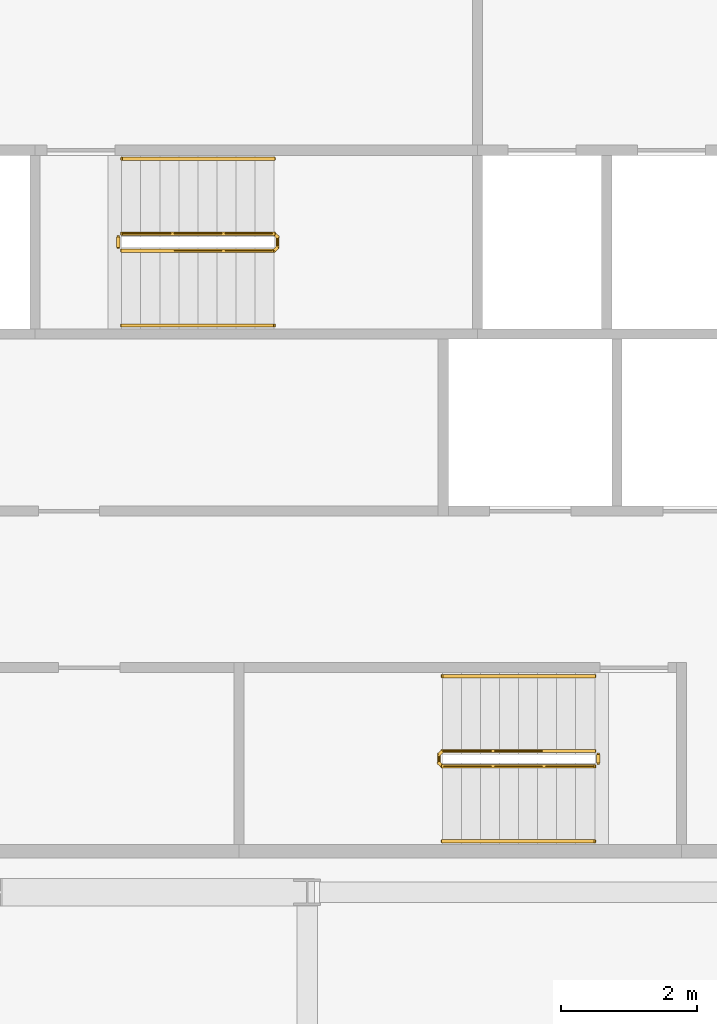
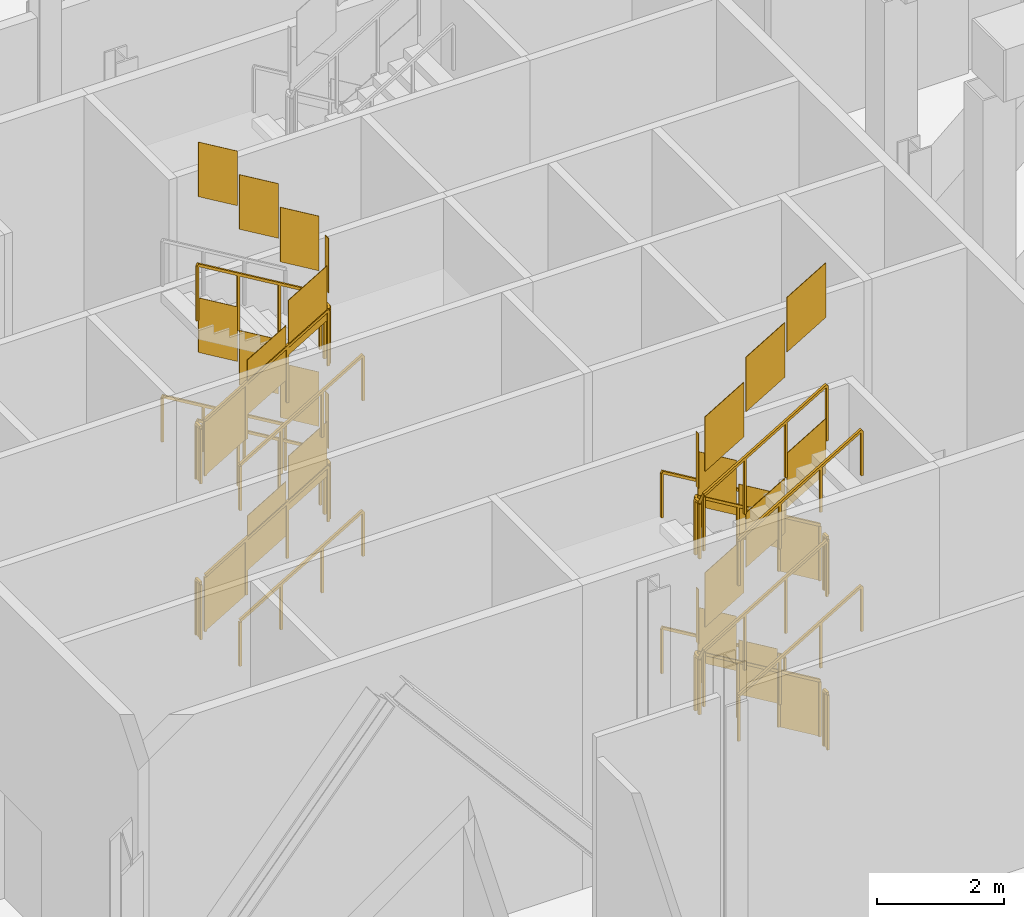
# One storey, part 17 of 18: 15 railings.
"""IFC4 building model written with IfcOpenShell, lengths in metres."""

from ifc_helpers import new_model, si_unit, direction, frame, origin, origin_2d, place, context, subcontext, project, spatial, polyline, rectangle, outline, extrude, material, type_object, element, save


model = new_model("IFC4")

# Units and contexts
model_context = context("Model", 3, precision=1e-05, world=origin(), true_north=direction((0.0, 1.0)))
body_context = subcontext(model_context, "Body", "Model", "MODEL_VIEW")
ifc_project = project(units=[si_unit("LENGTHUNIT", "METRE"), si_unit("AREAUNIT", "SQUARE_METRE"), si_unit("VOLUMEUNIT", "CUBIC_METRE"), si_unit("PLANEANGLEUNIT", "RADIAN"), si_unit("MASSUNIT", "GRAM", prefix="KILO")], contexts=[model_context])

# Site, building, storey
site_placement = place(None, origin())
site = spatial("IfcSite", under=ifc_project, at=site_placement, CompositionType="ELEMENT")
building_placement = place(site_placement, origin())
building = spatial("IfcBuilding", under=site, at=building_placement, Name="Cairn Pilgrim Tower", CompositionType="ELEMENT")
storey_placement = place(building_placement, frame((0.0, 0.0, 261.0)))
storey = spatial("IfcBuildingStorey", under=building, at=storey_placement, Name="L67", CompositionType="ELEMENT", Elevation=261.0)

# Railings
ifc_material = material(Name="Painted steel", Category="steel")
railing_type_1 = type_object("IfcRailingType", Name="STAIR GUARD 1100", PredefinedType="GUARDRAIL", material=ifc_material)
railing_1_placement = place(storey_placement, frame((11.425048828125, -3.925048828125, 0.166748046875)))
element("IfcRailing", 1, at=railing_1_placement, inside=storey, type_object=railing_type_1, Name="L67 ST-A stair guard 1", PredefinedType="GUARDRAIL", context=body_context, shape_type="SweptSolid", body=[
    extrude(rectangle(XDim=0.048095703125, YDim=0.048095703125, at=origin_2d()), frame((0.0, 0.0, 1.076171875), z_axis=(-0.859305625298, 0.0, 0.511462454469), x_axis=(0.0, -1.0, 0.0)), (0.0, 0.0, 1.0), 2.606689453125),
    extrude(rectangle(XDim=0.048095703125, YDim=0.048095703125, at=origin_2d()), frame((-2.239990234375, 0.0, 2.4091796875), z_axis=(-0.707106781187, -0.707106781187, 0.0), x_axis=(0.707106781187, -0.707106781187, 0.0)), (0.0, 0.0, 1.0), 0.07080078125),
    extrude(rectangle(XDim=0.048095703125, YDim=0.048095703125, at=origin_2d()), frame((-2.2900390625, -0.050048828125, 2.4091796875), z_axis=(0.0, -1.0, 0.0), x_axis=(1.0, 0.0, 0.0)), (0.0, 0.0, 1.0), 0.125),
    extrude(rectangle(XDim=0.048095703125, YDim=0.048095703125, at=origin_2d()), frame((-2.2900390625, -0.175048828125, 2.4091796875), z_axis=(0.276389281352, -0.275041040955, 0.920848191041), x_axis=(0.705375805398, 0.708833529934, 0.0)), (0.0, 0.0, 1.0), 0.18115234375),
    extrude(rectangle(XDim=0.048095703125, YDim=0.048095703125, at=origin_2d()), frame((-2.239990234375, -0.224853515625, 2.576171875), z_axis=(0.859305625298, 0.0, 0.511462454469), x_axis=(0.0, 1.0, 0.0)), (0.0, 0.0, 1.0), 2.606689453125),
    extrude(rectangle(XDim=0.0419921875, YDim=0.0419921875, at=origin_2d()), origin(), (0.0, 0.0, 1.0), 1.052001953125),
    extrude(rectangle(XDim=0.0419921875, YDim=0.0419921875, at=origin_2d()), frame((-0.74658203125, 0.0, 0.4443359375)), (0.0, 0.0, 1.0), 1.052001953125),
    extrude(rectangle(XDim=0.0419921875, YDim=0.0419921875, at=origin_2d()), frame((-1.493408203125, 0.0, 0.888916015625)), (0.0, 0.0, 1.0), 1.052001953125),
    extrude(rectangle(XDim=0.0419921875, YDim=0.0419921875, at=origin_2d()), frame((-2.239990234375, 0.0, 1.333251953125)), (0.0, 0.0, 1.0), 1.052001953125),
    extrude(rectangle(XDim=0.0419921875, YDim=0.0419921875, at=origin_2d()), frame((-2.2900390625, -0.050048828125, 1.333251953125)), (0.0, 0.0, 1.0), 1.052001953125),
    extrude(rectangle(XDim=0.0419921875, YDim=0.0419921875, at=origin_2d()), frame((-2.2900390625, -0.175048828125, 1.333251953125)), (0.0, 0.0, 1.0), 1.052001953125),
    extrude(rectangle(XDim=0.0419921875, YDim=0.0419921875, at=origin_2d()), frame((-2.239990234375, -0.224853515625, 1.5)), (0.0, 0.0, 1.0), 1.052001953125),
    extrude(rectangle(XDim=0.0419921875, YDim=0.0419921875, at=origin_2d()), frame((-1.493408203125, -0.224853515625, 1.9443359375)), (0.0, 0.0, 1.0), 1.052001953125),
    extrude(rectangle(XDim=0.0419921875, YDim=0.0419921875, at=origin_2d()), frame((-0.74658203125, -0.224853515625, 2.388916015625)), (0.0, 0.0, 1.0), 1.052001953125),
    extrude(rectangle(XDim=0.0419921875, YDim=0.0419921875, at=origin_2d()), frame((0.0, -0.224853515625, 2.833251953125)), (0.0, 0.0, 1.0), 1.052001953125),
    extrude(outline(polyline([(0.02099609375, 0.012451171875), (0.7255859375, 0.431884765625), (0.7255859375, 1.48388671875), (0.02099609375, 1.064453125), (0.02099609375, 0.012451171875)])), frame((0.0, -0.005859375, 0.0), z_axis=(0.0, 1.0, 0.0), x_axis=(-1.0, 0.0, 0.0)), (0.0, 0.0, 1.0), 0.011962890625),
    extrude(outline(polyline([(0.02099609375, 0.45703125), (0.7255859375, 0.876220703125), (0.7255859375, 1.92822265625), (0.02099609375, 1.509033203125), (0.02099609375, 0.45703125)])), frame((-0.74658203125, -0.005859375, 0.4443359375), z_axis=(0.0, 1.0, 0.0), x_axis=(-1.0, 0.0, 0.0)), (0.0, 0.0, 1.0), 0.011962890625),
    extrude(outline(polyline([(0.02099609375, 0.9013671875), (0.7255859375, 1.32080078125), (0.7255859375, 2.372802734375), (0.02099609375, 1.953369140625), (0.02099609375, 0.9013671875)])), frame((-1.493408203125, -0.005859375, 0.888916015625), z_axis=(0.0, 1.0, 0.0), x_axis=(-1.0, 0.0, 0.0)), (0.0, 0.0, 1.0), 0.011962890625),
    extrude(outline(polyline([(0.02099609375, 1.333251953125), (0.10400390625, 1.333251953125), (0.10400390625, 2.38525390625), (0.02099609375, 2.38525390625), (0.02099609375, 1.333251953125)])), frame((-2.2841796875, -0.050048828125, 1.333251953125), z_axis=(-1.0, 0.0, 0.0), x_axis=(0.0, -1.0, 0.0)), (0.0, 0.0, 1.0), 0.011962890625),
    extrude(outline(polyline([(0.02099609375, 1.512451171875), (0.7255859375, 1.931884765625), (0.7255859375, 2.98388671875), (0.02099609375, 2.564453125), (0.02099609375, 1.512451171875)])), frame((-2.239990234375, -0.21875, 1.5), z_axis=(0.0, -1.0, 0.0), x_axis=(1.0, 0.0, 0.0)), (0.0, 0.0, 1.0), 0.011962890625),
    extrude(outline(polyline([(0.02099609375, 1.95703125), (0.7255859375, 2.376220703125), (0.7255859375, 3.42822265625), (0.02099609375, 3.009033203125), (0.02099609375, 1.95703125)])), frame((-1.493408203125, -0.21875, 1.9443359375), z_axis=(0.0, -1.0, 0.0), x_axis=(1.0, 0.0, 0.0)), (0.0, 0.0, 1.0), 0.011962890625),
    extrude(outline(polyline([(0.02099609375, 2.4013671875), (0.7255859375, 2.82080078125), (0.7255859375, 3.872802734375), (0.02099609375, 3.453369140625), (0.02099609375, 2.4013671875)])), frame((-0.74658203125, -0.21875, 2.388916015625), z_axis=(0.0, -1.0, 0.0), x_axis=(1.0, 0.0, 0.0)), (0.0, 0.0, 1.0), 0.011962890625),
])
railing_2_placement = place(storey_placement, frame((11.47509765625, -3.97509765625, 3.0)))
element("IfcRailing", 2, at=railing_2_placement, inside=storey, type_object=railing_type_1, Name="L67 ST-A stair guard 2", PredefinedType="GUARDRAIL", context=body_context, shape_type="SweptSolid", body=[
    extrude(rectangle(XDim=0.048095703125, YDim=0.048095703125, at=origin_2d()), frame((0.0, 0.0, 1.076171875), z_axis=(0.0, -1.0, 0.0), x_axis=(1.0, 0.0, 0.0)), (0.0, 0.0, 1.0), 0.125),
    extrude(rectangle(XDim=0.0419921875, YDim=0.0419921875, at=origin_2d()), origin(), (0.0, 0.0, 1.0), 1.052001953125),
    extrude(rectangle(XDim=0.0419921875, YDim=0.0419921875, at=origin_2d()), frame((0.0, -0.125, 0.0)), (0.0, 0.0, 1.0), 1.052001953125),
    extrude(outline(polyline([(0.02099609375, 0.0), (0.10400390625, 0.0), (0.10400390625, 1.052001953125), (0.02099609375, 1.052001953125), (0.02099609375, 0.0)])), frame((0.005859375, 0.0, 0.0), z_axis=(-1.0, 0.0, 0.0), x_axis=(0.0, -1.0, 0.0)), (0.0, 0.0, 1.0), 0.011962890625),
])
railing_3_placement = place(storey_placement, frame((11.425048828125, -3.925048828125, 3.166748046875)))
element("IfcRailing", 3, at=railing_3_placement, inside=storey, type_object=railing_type_1, Name="L67 ST-A stair guard 3", PredefinedType="GUARDRAIL", context=body_context, shape_type="SweptSolid", body=[
    extrude(rectangle(XDim=0.048095703125, YDim=0.048095703125, at=origin_2d()), frame((0.0, 0.0, 1.076171875), z_axis=(-0.859305625298, 0.0, 0.511462454469), x_axis=(0.0, -1.0, 0.0)), (0.0, 0.0, 1.0), 2.606689453125),
    extrude(rectangle(XDim=0.048095703125, YDim=0.048095703125, at=origin_2d()), frame((-2.239990234375, 0.0, 2.4091796875), z_axis=(-0.707106781187, -0.707106781187, 0.0), x_axis=(0.707106781187, -0.707106781187, 0.0)), (0.0, 0.0, 1.0), 0.07080078125),
    extrude(rectangle(XDim=0.048095703125, YDim=0.048095703125, at=origin_2d()), frame((-2.2900390625, -0.050048828125, 2.4091796875), z_axis=(0.0, -1.0, 0.0), x_axis=(1.0, 0.0, 0.0)), (0.0, 0.0, 1.0), 0.125),
    extrude(rectangle(XDim=0.048095703125, YDim=0.048095703125, at=origin_2d()), frame((-2.2900390625, -0.175048828125, 2.4091796875), z_axis=(0.276389281352, -0.275041040955, 0.920848191041), x_axis=(0.705375805398, 0.708833529934, 0.0)), (0.0, 0.0, 1.0), 0.18115234375),
    extrude(rectangle(XDim=0.048095703125, YDim=0.048095703125, at=origin_2d()), frame((-2.239990234375, -0.224853515625, 2.576171875), z_axis=(0.859305625298, 0.0, 0.511462454469), x_axis=(0.0, 1.0, 0.0)), (0.0, 0.0, 1.0), 2.606689453125),
    extrude(rectangle(XDim=0.0419921875, YDim=0.0419921875, at=origin_2d()), origin(), (0.0, 0.0, 1.0), 1.052001953125),
    extrude(rectangle(XDim=0.0419921875, YDim=0.0419921875, at=origin_2d()), frame((-0.74658203125, 0.0, 0.4443359375)), (0.0, 0.0, 1.0), 1.052001953125),
    extrude(rectangle(XDim=0.0419921875, YDim=0.0419921875, at=origin_2d()), frame((-1.493408203125, 0.0, 0.888916015625)), (0.0, 0.0, 1.0), 1.052001953125),
    extrude(rectangle(XDim=0.0419921875, YDim=0.0419921875, at=origin_2d()), frame((-2.239990234375, 0.0, 1.333251953125)), (0.0, 0.0, 1.0), 1.052001953125),
    extrude(rectangle(XDim=0.0419921875, YDim=0.0419921875, at=origin_2d()), frame((-2.2900390625, -0.050048828125, 1.333251953125)), (0.0, 0.0, 1.0), 1.052001953125),
    extrude(rectangle(XDim=0.0419921875, YDim=0.0419921875, at=origin_2d()), frame((-2.2900390625, -0.175048828125, 1.333251953125)), (0.0, 0.0, 1.0), 1.052001953125),
    extrude(rectangle(XDim=0.0419921875, YDim=0.0419921875, at=origin_2d()), frame((-2.239990234375, -0.224853515625, 1.5)), (0.0, 0.0, 1.0), 1.052001953125),
    extrude(rectangle(XDim=0.0419921875, YDim=0.0419921875, at=origin_2d()), frame((-1.493408203125, -0.224853515625, 1.9443359375)), (0.0, 0.0, 1.0), 1.052001953125),
    extrude(rectangle(XDim=0.0419921875, YDim=0.0419921875, at=origin_2d()), frame((-0.74658203125, -0.224853515625, 2.388916015625)), (0.0, 0.0, 1.0), 1.052001953125),
    extrude(rectangle(XDim=0.0419921875, YDim=0.0419921875, at=origin_2d()), frame((0.0, -0.224853515625, 2.833251953125)), (0.0, 0.0, 1.0), 1.052001953125),
    extrude(outline(polyline([(0.02099609375, 0.012451171875), (0.7255859375, 0.431884765625), (0.7255859375, 1.48388671875), (0.02099609375, 1.064453125), (0.02099609375, 0.012451171875)])), frame((0.0, -0.005859375, 0.0), z_axis=(0.0, 1.0, 0.0), x_axis=(-1.0, 0.0, 0.0)), (0.0, 0.0, 1.0), 0.011962890625),
    extrude(outline(polyline([(0.02099609375, 0.45703125), (0.7255859375, 0.876220703125), (0.7255859375, 1.92822265625), (0.02099609375, 1.509033203125), (0.02099609375, 0.45703125)])), frame((-0.74658203125, -0.005859375, 0.4443359375), z_axis=(0.0, 1.0, 0.0), x_axis=(-1.0, 0.0, 0.0)), (0.0, 0.0, 1.0), 0.011962890625),
    extrude(outline(polyline([(0.02099609375, 0.9013671875), (0.7255859375, 1.32080078125), (0.7255859375, 2.372802734375), (0.02099609375, 1.953369140625), (0.02099609375, 0.9013671875)])), frame((-1.493408203125, -0.005859375, 0.888916015625), z_axis=(0.0, 1.0, 0.0), x_axis=(-1.0, 0.0, 0.0)), (0.0, 0.0, 1.0), 0.011962890625),
    extrude(outline(polyline([(0.02099609375, 1.333251953125), (0.10400390625, 1.333251953125), (0.10400390625, 2.38525390625), (0.02099609375, 2.38525390625), (0.02099609375, 1.333251953125)])), frame((-2.2841796875, -0.050048828125, 1.333251953125), z_axis=(-1.0, 0.0, 0.0), x_axis=(0.0, -1.0, 0.0)), (0.0, 0.0, 1.0), 0.011962890625),
    extrude(outline(polyline([(0.02099609375, 1.512451171875), (0.7255859375, 1.931884765625), (0.7255859375, 2.98388671875), (0.02099609375, 2.564453125), (0.02099609375, 1.512451171875)])), frame((-2.239990234375, -0.21875, 1.5), z_axis=(0.0, -1.0, 0.0), x_axis=(1.0, 0.0, 0.0)), (0.0, 0.0, 1.0), 0.011962890625),
    extrude(outline(polyline([(0.02099609375, 1.95703125), (0.7255859375, 2.376220703125), (0.7255859375, 3.42822265625), (0.02099609375, 3.009033203125), (0.02099609375, 1.95703125)])), frame((-1.493408203125, -0.21875, 1.9443359375), z_axis=(0.0, -1.0, 0.0), x_axis=(1.0, 0.0, 0.0)), (0.0, 0.0, 1.0), 0.011962890625),
    extrude(outline(polyline([(0.02099609375, 2.4013671875), (0.7255859375, 2.82080078125), (0.7255859375, 3.872802734375), (0.02099609375, 3.453369140625), (0.02099609375, 2.4013671875)])), frame((-0.74658203125, -0.21875, 2.388916015625), z_axis=(0.0, -1.0, 0.0), x_axis=(1.0, 0.0, 0.0)), (0.0, 0.0, 1.0), 0.011962890625),
])
railing_4_placement = place(storey_placement, frame((11.47509765625, -3.97509765625, 0.0)))
element("IfcRailing", 4, at=railing_4_placement, inside=storey, type_object=railing_type_1, Name="L67 ST-A stair guard 4", PredefinedType="GUARDRAIL", context=body_context, shape_type="SweptSolid", body=[
    extrude(rectangle(XDim=0.048095703125, YDim=0.048095703125, at=origin_2d()), frame((0.0, 0.0, 1.076171875), z_axis=(0.0, -1.0, 0.0), x_axis=(1.0, 0.0, 0.0)), (0.0, 0.0, 1.0), 0.125),
    extrude(rectangle(XDim=0.0419921875, YDim=0.0419921875, at=origin_2d()), origin(), (0.0, 0.0, 1.0), 1.052001953125),
    extrude(rectangle(XDim=0.0419921875, YDim=0.0419921875, at=origin_2d()), frame((0.0, -0.125, 0.0)), (0.0, 0.0, 1.0), 1.052001953125),
    extrude(outline(polyline([(0.02099609375, 0.0), (0.10400390625, 0.0), (0.10400390625, 1.052001953125), (0.02099609375, 1.052001953125), (0.02099609375, 0.0)])), frame((0.005859375, 0.0, 0.0), z_axis=(-1.0, 0.0, 0.0), x_axis=(0.0, -1.0, 0.0)), (0.0, 0.0, 1.0), 0.011962890625),
])
railing_5_placement = place(storey_placement, frame((4.47509765625, 3.425048828125, 0.166748046875)))
element("IfcRailing", 5, at=railing_5_placement, inside=storey, type_object=railing_type_1, Name="L67 ST-B stair guard 1", PredefinedType="GUARDRAIL", context=body_context, shape_type="SweptSolid", body=[
    extrude(rectangle(XDim=0.048095703125, YDim=0.048095703125, at=origin_2d()), frame((0.0, 0.0, 1.076171875), z_axis=(0.859305625298, 0.0, 0.511462454469), x_axis=(0.0, 1.0, 0.0)), (0.0, 0.0, 1.0), 2.606689453125),
    extrude(rectangle(XDim=0.048095703125, YDim=0.048095703125, at=origin_2d()), frame((2.239990234375, 0.0, 2.4091796875), z_axis=(0.705375805398, 0.708833529934, 0.0), x_axis=(-0.708833529934, 0.705375805398, 0.0)), (0.0, 0.0, 1.0), 0.070556640625),
    extrude(rectangle(XDim=0.048095703125, YDim=0.048095703125, at=origin_2d()), frame((2.289794921875, 0.050048828125, 2.4091796875), z_axis=(0.0, 1.0, 0.0), x_axis=(-1.0, 0.0, 0.0)), (0.0, 0.0, 1.0), 0.14990234375),
    extrude(rectangle(XDim=0.048095703125, YDim=0.048095703125, at=origin_2d()), frame((2.289794921875, 0.199951171875, 2.4091796875), z_axis=(-0.275041040955, 0.276389281352, 0.920848191041), x_axis=(-0.708833529934, -0.705375805398, 0.0)), (0.0, 0.0, 1.0), 0.18115234375),
    extrude(rectangle(XDim=0.048095703125, YDim=0.048095703125, at=origin_2d()), frame((2.239990234375, 0.25, 2.576171875), z_axis=(-0.859305625298, 0.0, 0.511462454469), x_axis=(0.0, -1.0, 0.0)), (0.0, 0.0, 1.0), 2.606689453125),
    extrude(rectangle(XDim=0.0419921875, YDim=0.0419921875, at=origin_2d()), origin(), (0.0, 0.0, 1.0), 1.052001953125),
    extrude(rectangle(XDim=0.0419921875, YDim=0.0419921875, at=origin_2d()), frame((0.74658203125, 0.0, 0.4443359375)), (0.0, 0.0, 1.0), 1.052001953125),
    extrude(rectangle(XDim=0.0419921875, YDim=0.0419921875, at=origin_2d()), frame((1.493408203125, 0.0, 0.888916015625)), (0.0, 0.0, 1.0), 1.052001953125),
    extrude(rectangle(XDim=0.0419921875, YDim=0.0419921875, at=origin_2d()), frame((2.239990234375, 0.0, 1.333251953125)), (0.0, 0.0, 1.0), 1.052001953125),
    extrude(rectangle(XDim=0.0419921875, YDim=0.0419921875, at=origin_2d()), frame((2.289794921875, 0.050048828125, 1.333251953125)), (0.0, 0.0, 1.0), 1.052001953125),
    extrude(rectangle(XDim=0.0419921875, YDim=0.0419921875, at=origin_2d()), frame((2.289794921875, 0.199951171875, 1.333251953125)), (0.0, 0.0, 1.0), 1.052001953125),
    extrude(rectangle(XDim=0.0419921875, YDim=0.0419921875, at=origin_2d()), frame((2.239990234375, 0.25, 1.5)), (0.0, 0.0, 1.0), 1.052001953125),
    extrude(rectangle(XDim=0.0419921875, YDim=0.0419921875, at=origin_2d()), frame((1.493408203125, 0.25, 1.9443359375)), (0.0, 0.0, 1.0), 1.052001953125),
    extrude(rectangle(XDim=0.0419921875, YDim=0.0419921875, at=origin_2d()), frame((0.74658203125, 0.25, 2.388916015625)), (0.0, 0.0, 1.0), 1.052001953125),
    extrude(rectangle(XDim=0.0419921875, YDim=0.0419921875, at=origin_2d()), frame((0.0, 0.25, 2.833251953125)), (0.0, 0.0, 1.0), 1.052001953125),
    extrude(outline(polyline([(0.02099609375, 0.012451171875), (0.7255859375, 0.431884765625), (0.7255859375, 1.48388671875), (0.02099609375, 1.064453125), (0.02099609375, 0.012451171875)])), frame((0.0, 0.005859375, 0.0), z_axis=(0.0, -1.0, 0.0), x_axis=(1.0, 0.0, 0.0)), (0.0, 0.0, 1.0), 0.011962890625),
    extrude(outline(polyline([(0.02099609375, 0.45703125), (0.7255859375, 0.876220703125), (0.7255859375, 1.92822265625), (0.02099609375, 1.509033203125), (0.02099609375, 0.45703125)])), frame((0.74658203125, 0.005859375, 0.4443359375), z_axis=(0.0, -1.0, 0.0), x_axis=(1.0, 0.0, 0.0)), (0.0, 0.0, 1.0), 0.011962890625),
    extrude(outline(polyline([(0.02099609375, 0.9013671875), (0.7255859375, 1.32080078125), (0.7255859375, 2.372802734375), (0.02099609375, 1.953369140625), (0.02099609375, 0.9013671875)])), frame((1.493408203125, 0.005859375, 0.888916015625), z_axis=(0.0, -1.0, 0.0), x_axis=(1.0, 0.0, 0.0)), (0.0, 0.0, 1.0), 0.011962890625),
    extrude(outline(polyline([(0.02099609375, 1.333251953125), (0.12890625, 1.333251953125), (0.12890625, 2.38525390625), (0.02099609375, 2.38525390625), (0.02099609375, 1.333251953125)])), frame((2.28369140625, 0.050048828125, 1.333251953125), z_axis=(1.0, 0.0, 0.0), x_axis=(0.0, 1.0, 0.0)), (0.0, 0.0, 1.0), 0.011962890625),
    extrude(outline(polyline([(0.02099609375, 1.512451171875), (0.7255859375, 1.931884765625), (0.7255859375, 2.98388671875), (0.02099609375, 2.564453125), (0.02099609375, 1.512451171875)])), frame((2.239990234375, 0.244140625, 1.5), z_axis=(0.0, 1.0, 0.0), x_axis=(-1.0, 0.0, 0.0)), (0.0, 0.0, 1.0), 0.011962890625),
    extrude(outline(polyline([(0.02099609375, 1.95703125), (0.7255859375, 2.376220703125), (0.7255859375, 3.42822265625), (0.02099609375, 3.009033203125), (0.02099609375, 1.95703125)])), frame((1.493408203125, 0.244140625, 1.9443359375), z_axis=(0.0, 1.0, 0.0), x_axis=(-1.0, 0.0, 0.0)), (0.0, 0.0, 1.0), 0.011962890625),
    extrude(outline(polyline([(0.02099609375, 2.4013671875), (0.7255859375, 2.82080078125), (0.7255859375, 3.872802734375), (0.02099609375, 3.453369140625), (0.02099609375, 2.4013671875)])), frame((0.74658203125, 0.244140625, 2.388916015625), z_axis=(0.0, 1.0, 0.0), x_axis=(-1.0, 0.0, 0.0)), (0.0, 0.0, 1.0), 0.011962890625),
])
railing_6_placement = place(storey_placement, frame((4.425048828125, 3.47509765625, 3.0)))
element("IfcRailing", 6, at=railing_6_placement, inside=storey, type_object=railing_type_1, Name="L67 ST-B stair guard 2", PredefinedType="GUARDRAIL", context=body_context, shape_type="SweptSolid", body=[
    extrude(rectangle(XDim=0.048095703125, YDim=0.048095703125, at=origin_2d()), frame((0.0, 0.0, 1.076171875), z_axis=(0.0, 1.0, 0.0), x_axis=(-1.0, 0.0, 0.0)), (0.0, 0.0, 1.0), 0.14990234375),
    extrude(rectangle(XDim=0.0419921875, YDim=0.0419921875, at=origin_2d()), origin(), (0.0, 0.0, 1.0), 1.052001953125),
    extrude(rectangle(XDim=0.0419921875, YDim=0.0419921875, at=origin_2d()), frame((0.0, 0.14990234375, 0.0)), (0.0, 0.0, 1.0), 1.052001953125),
    extrude(outline(polyline([(0.02099609375, 0.0), (0.12890625, 0.0), (0.12890625, 1.052001953125), (0.02099609375, 1.052001953125), (0.02099609375, 0.0)])), frame((-0.005859375, 0.0, 0.0), z_axis=(1.0, 0.0, 0.0), x_axis=(0.0, 1.0, 0.0)), (0.0, 0.0, 1.0), 0.011962890625),
])
railing_7_placement = place(storey_placement, frame((4.47509765625, 3.425048828125, 3.166748046875)))
element("IfcRailing", 7, at=railing_7_placement, inside=storey, type_object=railing_type_1, Name="L67 ST-B stair guard 3", PredefinedType="GUARDRAIL", context=body_context, shape_type="SweptSolid", body=[
    extrude(rectangle(XDim=0.048095703125, YDim=0.048095703125, at=origin_2d()), frame((0.0, 0.0, 1.076171875), z_axis=(0.859305625298, 0.0, 0.511462454469), x_axis=(0.0, 1.0, 0.0)), (0.0, 0.0, 1.0), 2.606689453125),
    extrude(rectangle(XDim=0.048095703125, YDim=0.048095703125, at=origin_2d()), frame((2.239990234375, 0.0, 2.4091796875), z_axis=(0.705375805398, 0.708833529934, 0.0), x_axis=(-0.708833529934, 0.705375805398, 0.0)), (0.0, 0.0, 1.0), 0.070556640625),
    extrude(rectangle(XDim=0.048095703125, YDim=0.048095703125, at=origin_2d()), frame((2.289794921875, 0.050048828125, 2.4091796875), z_axis=(0.0, 1.0, 0.0), x_axis=(-1.0, 0.0, 0.0)), (0.0, 0.0, 1.0), 0.14990234375),
    extrude(rectangle(XDim=0.048095703125, YDim=0.048095703125, at=origin_2d()), frame((2.289794921875, 0.199951171875, 2.4091796875), z_axis=(-0.275041040955, 0.276389281352, 0.920848191041), x_axis=(-0.708833529934, -0.705375805398, 0.0)), (0.0, 0.0, 1.0), 0.18115234375),
    extrude(rectangle(XDim=0.048095703125, YDim=0.048095703125, at=origin_2d()), frame((2.239990234375, 0.25, 2.576171875), z_axis=(-0.859305625298, 0.0, 0.511462454469), x_axis=(0.0, -1.0, 0.0)), (0.0, 0.0, 1.0), 2.606689453125),
    extrude(rectangle(XDim=0.0419921875, YDim=0.0419921875, at=origin_2d()), origin(), (0.0, 0.0, 1.0), 1.052001953125),
    extrude(rectangle(XDim=0.0419921875, YDim=0.0419921875, at=origin_2d()), frame((0.74658203125, 0.0, 0.4443359375)), (0.0, 0.0, 1.0), 1.052001953125),
    extrude(rectangle(XDim=0.0419921875, YDim=0.0419921875, at=origin_2d()), frame((1.493408203125, 0.0, 0.888916015625)), (0.0, 0.0, 1.0), 1.052001953125),
    extrude(rectangle(XDim=0.0419921875, YDim=0.0419921875, at=origin_2d()), frame((2.239990234375, 0.0, 1.333251953125)), (0.0, 0.0, 1.0), 1.052001953125),
    extrude(rectangle(XDim=0.0419921875, YDim=0.0419921875, at=origin_2d()), frame((2.289794921875, 0.050048828125, 1.333251953125)), (0.0, 0.0, 1.0), 1.052001953125),
    extrude(rectangle(XDim=0.0419921875, YDim=0.0419921875, at=origin_2d()), frame((2.289794921875, 0.199951171875, 1.333251953125)), (0.0, 0.0, 1.0), 1.052001953125),
    extrude(rectangle(XDim=0.0419921875, YDim=0.0419921875, at=origin_2d()), frame((2.239990234375, 0.25, 1.5)), (0.0, 0.0, 1.0), 1.052001953125),
    extrude(rectangle(XDim=0.0419921875, YDim=0.0419921875, at=origin_2d()), frame((1.493408203125, 0.25, 1.9443359375)), (0.0, 0.0, 1.0), 1.052001953125),
    extrude(rectangle(XDim=0.0419921875, YDim=0.0419921875, at=origin_2d()), frame((0.74658203125, 0.25, 2.388916015625)), (0.0, 0.0, 1.0), 1.052001953125),
    extrude(rectangle(XDim=0.0419921875, YDim=0.0419921875, at=origin_2d()), frame((0.0, 0.25, 2.833251953125)), (0.0, 0.0, 1.0), 1.052001953125),
    extrude(outline(polyline([(0.02099609375, 0.012451171875), (0.7255859375, 0.431884765625), (0.7255859375, 1.48388671875), (0.02099609375, 1.064453125), (0.02099609375, 0.012451171875)])), frame((0.0, 0.005859375, 0.0), z_axis=(0.0, -1.0, 0.0), x_axis=(1.0, 0.0, 0.0)), (0.0, 0.0, 1.0), 0.011962890625),
    extrude(outline(polyline([(0.02099609375, 0.45703125), (0.7255859375, 0.876220703125), (0.7255859375, 1.92822265625), (0.02099609375, 1.509033203125), (0.02099609375, 0.45703125)])), frame((0.74658203125, 0.005859375, 0.4443359375), z_axis=(0.0, -1.0, 0.0), x_axis=(1.0, 0.0, 0.0)), (0.0, 0.0, 1.0), 0.011962890625),
    extrude(outline(polyline([(0.02099609375, 0.9013671875), (0.7255859375, 1.32080078125), (0.7255859375, 2.372802734375), (0.02099609375, 1.953369140625), (0.02099609375, 0.9013671875)])), frame((1.493408203125, 0.005859375, 0.888916015625), z_axis=(0.0, -1.0, 0.0), x_axis=(1.0, 0.0, 0.0)), (0.0, 0.0, 1.0), 0.011962890625),
    extrude(outline(polyline([(0.02099609375, 1.333251953125), (0.12890625, 1.333251953125), (0.12890625, 2.38525390625), (0.02099609375, 2.38525390625), (0.02099609375, 1.333251953125)])), frame((2.28369140625, 0.050048828125, 1.333251953125), z_axis=(1.0, 0.0, 0.0), x_axis=(0.0, 1.0, 0.0)), (0.0, 0.0, 1.0), 0.011962890625),
    extrude(outline(polyline([(0.02099609375, 1.512451171875), (0.7255859375, 1.931884765625), (0.7255859375, 2.98388671875), (0.02099609375, 2.564453125), (0.02099609375, 1.512451171875)])), frame((2.239990234375, 0.244140625, 1.5), z_axis=(0.0, 1.0, 0.0), x_axis=(-1.0, 0.0, 0.0)), (0.0, 0.0, 1.0), 0.011962890625),
    extrude(outline(polyline([(0.02099609375, 1.95703125), (0.7255859375, 2.376220703125), (0.7255859375, 3.42822265625), (0.02099609375, 3.009033203125), (0.02099609375, 1.95703125)])), frame((1.493408203125, 0.244140625, 1.9443359375), z_axis=(0.0, 1.0, 0.0), x_axis=(-1.0, 0.0, 0.0)), (0.0, 0.0, 1.0), 0.011962890625),
    extrude(outline(polyline([(0.02099609375, 2.4013671875), (0.7255859375, 2.82080078125), (0.7255859375, 3.872802734375), (0.02099609375, 3.453369140625), (0.02099609375, 2.4013671875)])), frame((0.74658203125, 0.244140625, 2.388916015625), z_axis=(0.0, 1.0, 0.0), x_axis=(-1.0, 0.0, 0.0)), (0.0, 0.0, 1.0), 0.011962890625),
])
railing_8_placement = place(storey_placement, frame((4.425048828125, 3.47509765625, 0.0)))
element("IfcRailing", 8, at=railing_8_placement, inside=storey, type_object=railing_type_1, Name="L67 ST-B stair guard 4", PredefinedType="GUARDRAIL", context=body_context, shape_type="SweptSolid", body=[
    extrude(rectangle(XDim=0.048095703125, YDim=0.048095703125, at=origin_2d()), frame((0.0, 0.0, 1.076171875), z_axis=(0.0, 1.0, 0.0), x_axis=(-1.0, 0.0, 0.0)), (0.0, 0.0, 1.0), 0.14990234375),
    extrude(rectangle(XDim=0.0419921875, YDim=0.0419921875, at=origin_2d()), origin(), (0.0, 0.0, 1.0), 1.052001953125),
    extrude(rectangle(XDim=0.0419921875, YDim=0.0419921875, at=origin_2d()), frame((0.0, 0.14990234375, 0.0)), (0.0, 0.0, 1.0), 1.052001953125),
    extrude(outline(polyline([(0.02099609375, 0.0), (0.12890625, 0.0), (0.12890625, 1.052001953125), (0.02099609375, 1.052001953125), (0.02099609375, 0.0)])), frame((-0.005859375, 0.0, 0.0), z_axis=(1.0, 0.0, 0.0), x_axis=(0.0, 1.0, 0.0)), (0.0, 0.0, 1.0), 0.011962890625),
])
railing_type_2 = type_object("IfcRailingType", Name="STAIR HANDRAIL 900", PredefinedType="HANDRAIL", material=ifc_material)
railing_9_placement = place(storey_placement, frame((11.425048828125, -2.824951171875, 0.166748046875)))
element("IfcRailing", 9, at=railing_9_placement, inside=storey, type_object=railing_type_2, Name="L67 ST-A stair handrail 1", PredefinedType="HANDRAIL", context=body_context, shape_type="SweptSolid", body=[
    extrude(rectangle(XDim=0.048095703125, YDim=0.048095703125, at=origin_2d()), frame((0.0, 0.0, 0.8759765625), z_axis=(-0.859305625298, 0.0, 0.511462454469), x_axis=(0.0, -1.0, 0.0)), (0.0, 0.0, 1.0), 2.606689453125),
    extrude(rectangle(XDim=0.0419921875, YDim=0.0419921875, at=origin_2d()), origin(), (0.0, 0.0, 1.0), 0.851806640625),
    extrude(rectangle(XDim=0.0419921875, YDim=0.0419921875, at=origin_2d()), frame((-0.74658203125, 0.0, 0.4443359375)), (0.0, 0.0, 1.0), 0.851806640625),
    extrude(rectangle(XDim=0.0419921875, YDim=0.0419921875, at=origin_2d()), frame((-1.493408203125, 0.0, 0.888916015625)), (0.0, 0.0, 1.0), 0.851806640625),
    extrude(rectangle(XDim=0.0419921875, YDim=0.0419921875, at=origin_2d()), frame((-2.239990234375, 0.0, 1.333251953125)), (0.0, 0.0, 1.0), 0.851806640625),
])
railing_10_placement = place(storey_placement, frame((9.18505859375, -5.25, 1.666748046875)))
element("IfcRailing", 10, at=railing_10_placement, inside=storey, type_object=railing_type_2, Name="L67 ST-A stair handrail 2", PredefinedType="HANDRAIL", context=body_context, shape_type="SweptSolid", body=[
    extrude(rectangle(XDim=0.048095703125, YDim=0.048095703125, at=origin_2d()), frame((0.0, 0.0, 0.8759765625), z_axis=(0.859305625298, 0.0, 0.511462454469), x_axis=(0.0, 1.0, 0.0)), (0.0, 0.0, 1.0), 2.606689453125),
    extrude(rectangle(XDim=0.0419921875, YDim=0.0419921875, at=origin_2d()), origin(), (0.0, 0.0, 1.0), 0.851806640625),
    extrude(rectangle(XDim=0.0419921875, YDim=0.0419921875, at=origin_2d()), frame((0.74658203125, 0.0, 0.4443359375)), (0.0, 0.0, 1.0), 0.851806640625),
    extrude(rectangle(XDim=0.0419921875, YDim=0.0419921875, at=origin_2d()), frame((1.493408203125, 0.0, 0.888916015625)), (0.0, 0.0, 1.0), 0.851806640625),
    extrude(rectangle(XDim=0.0419921875, YDim=0.0419921875, at=origin_2d()), frame((2.239990234375, 0.0, 1.333251953125)), (0.0, 0.0, 1.0), 0.851806640625),
])
railing_11_placement = place(storey_placement, frame((11.425048828125, -2.824951171875, 3.166748046875)))
element("IfcRailing", 11, at=railing_11_placement, inside=storey, type_object=railing_type_2, Name="L67 ST-A stair handrail 3", PredefinedType="HANDRAIL", context=body_context, shape_type="SweptSolid", body=[
    extrude(rectangle(XDim=0.048095703125, YDim=0.048095703125, at=origin_2d()), frame((0.0, 0.0, 0.8759765625), z_axis=(-0.859305625298, 0.0, 0.511462454469), x_axis=(0.0, -1.0, 0.0)), (0.0, 0.0, 1.0), 2.606689453125),
    extrude(rectangle(XDim=0.0419921875, YDim=0.0419921875, at=origin_2d()), origin(), (0.0, 0.0, 1.0), 0.851806640625),
    extrude(rectangle(XDim=0.0419921875, YDim=0.0419921875, at=origin_2d()), frame((-0.74658203125, 0.0, 0.4443359375)), (0.0, 0.0, 1.0), 0.851806640625),
    extrude(rectangle(XDim=0.0419921875, YDim=0.0419921875, at=origin_2d()), frame((-1.493408203125, 0.0, 0.888916015625)), (0.0, 0.0, 1.0), 0.851806640625),
    extrude(rectangle(XDim=0.0419921875, YDim=0.0419921875, at=origin_2d()), frame((-2.239990234375, 0.0, 1.333251953125)), (0.0, 0.0, 1.0), 0.851806640625),
])
for number, where, name in (
    (12, (9.18505859375, -5.25, 4.666748046875), "L67 ST-A stair handrail 4"),
    (13, (4.47509765625, 2.324951171875, 0.166748046875), "L67 ST-B stair handrail 1"),
):
    element("IfcRailing", number, at=place(storey_placement, frame(where)), inside=storey, type_object=railing_type_2, Name=name, PredefinedType="HANDRAIL", context=body_context, shape_type="SweptSolid", body=[
        extrude(rectangle(XDim=0.048095703125, YDim=0.048095703125, at=origin_2d()), frame((0.0, 0.0, 0.8759765625), z_axis=(0.859305625298, 0.0, 0.511462454469), x_axis=(0.0, 1.0, 0.0)), (0.0, 0.0, 1.0), 2.606689453125),
        extrude(rectangle(XDim=0.0419921875, YDim=0.0419921875, at=origin_2d()), origin(), (0.0, 0.0, 1.0), 0.851806640625),
        extrude(rectangle(XDim=0.0419921875, YDim=0.0419921875, at=origin_2d()), frame((0.74658203125, 0.0, 0.4443359375)), (0.0, 0.0, 1.0), 0.851806640625),
        extrude(rectangle(XDim=0.0419921875, YDim=0.0419921875, at=origin_2d()), frame((1.493408203125, 0.0, 0.888916015625)), (0.0, 0.0, 1.0), 0.851806640625),
        extrude(rectangle(XDim=0.0419921875, YDim=0.0419921875, at=origin_2d()), frame((2.239990234375, 0.0, 1.333251953125)), (0.0, 0.0, 1.0), 0.851806640625),
    ])
railing_12_placement = place(storey_placement, frame((6.715087890625, 4.77490234375, 1.666748046875)))
element("IfcRailing", 14, at=railing_12_placement, inside=storey, type_object=railing_type_2, Name="L67 ST-B stair handrail 2", PredefinedType="HANDRAIL", context=body_context, shape_type="SweptSolid", body=[
    extrude(rectangle(XDim=0.048095703125, YDim=0.048095703125, at=origin_2d()), frame((0.0, 0.0, 0.8759765625), z_axis=(-0.859305625298, 0.0, 0.511462454469), x_axis=(0.0, -1.0, 0.0)), (0.0, 0.0, 1.0), 2.606689453125),
    extrude(rectangle(XDim=0.0419921875, YDim=0.0419921875, at=origin_2d()), origin(), (0.0, 0.0, 1.0), 0.851806640625),
    extrude(rectangle(XDim=0.0419921875, YDim=0.0419921875, at=origin_2d()), frame((-0.74658203125, 0.0, 0.4443359375)), (0.0, 0.0, 1.0), 0.851806640625),
    extrude(rectangle(XDim=0.0419921875, YDim=0.0419921875, at=origin_2d()), frame((-1.493408203125, 0.0, 0.888916015625)), (0.0, 0.0, 1.0), 0.851806640625),
    extrude(rectangle(XDim=0.0419921875, YDim=0.0419921875, at=origin_2d()), frame((-2.239990234375, 0.0, 1.333251953125)), (0.0, 0.0, 1.0), 0.851806640625),
])
railing_13_placement = place(storey_placement, frame((4.47509765625, 2.324951171875, 3.166748046875)))
element("IfcRailing", 15, at=railing_13_placement, inside=storey, type_object=railing_type_2, Name="L67 ST-B stair handrail 3", PredefinedType="HANDRAIL", context=body_context, shape_type="SweptSolid", body=[
    extrude(rectangle(XDim=0.048095703125, YDim=0.048095703125, at=origin_2d()), frame((0.0, 0.0, 0.8759765625), z_axis=(0.859305625298, 0.0, 0.511462454469), x_axis=(0.0, 1.0, 0.0)), (0.0, 0.0, 1.0), 2.606689453125),
    extrude(rectangle(XDim=0.0419921875, YDim=0.0419921875, at=origin_2d()), origin(), (0.0, 0.0, 1.0), 0.851806640625),
    extrude(rectangle(XDim=0.0419921875, YDim=0.0419921875, at=origin_2d()), frame((0.74658203125, 0.0, 0.4443359375)), (0.0, 0.0, 1.0), 0.851806640625),
    extrude(rectangle(XDim=0.0419921875, YDim=0.0419921875, at=origin_2d()), frame((1.493408203125, 0.0, 0.888916015625)), (0.0, 0.0, 1.0), 0.851806640625),
    extrude(rectangle(XDim=0.0419921875, YDim=0.0419921875, at=origin_2d()), frame((2.239990234375, 0.0, 1.333251953125)), (0.0, 0.0, 1.0), 0.851806640625),
])

save(model, "model.ifc")
